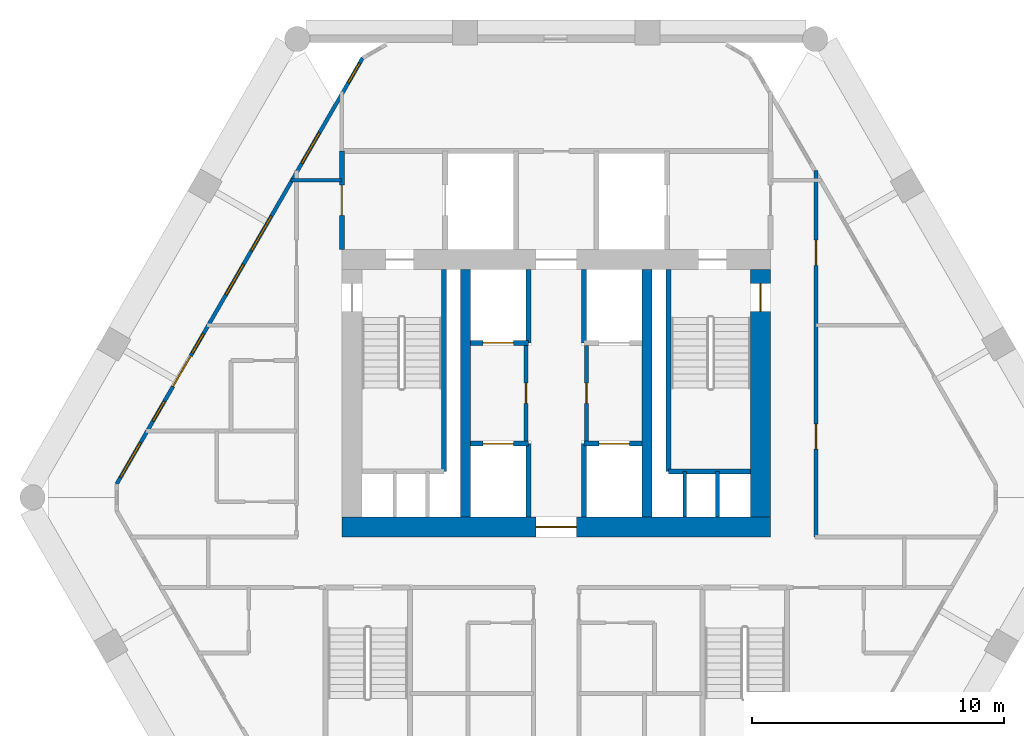
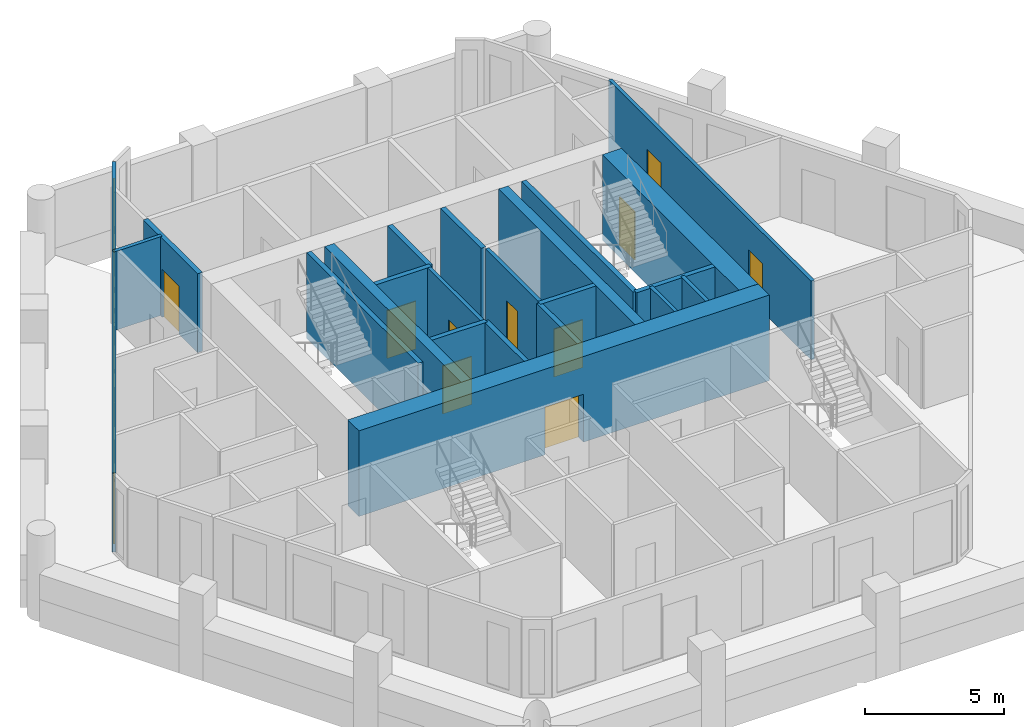
# One storey, part 4 of 7: 22 walls, 11 doors, 7 windows, 18 openings.
"""IFC4 building model written with IfcOpenShell, lengths in metres."""

from ifc_helpers import new_model, si_unit, direction, frame, frame_2d, origin, place, context, subcontext, project, spatial, rectangle, extrude, material, layer, layer_set, type_object, element, fill, save


model = new_model("IFC4")

# Units and contexts
model_context = context("Model", 3, precision=1e-05, world=origin(), true_north=direction((0.0, 1.0)))
body_context = subcontext(model_context, "Body", "Model", "MODEL_VIEW")
ifc_project = project(units=[si_unit("LENGTHUNIT", "METRE"), si_unit("AREAUNIT", "SQUARE_METRE"), si_unit("VOLUMEUNIT", "CUBIC_METRE"), si_unit("PLANEANGLEUNIT", "RADIAN"), si_unit("MASSUNIT", "GRAM", prefix="KILO")], contexts=[model_context])

# Site, building, storey
site_placement = place(None, origin())
site = spatial("IfcSite", under=ifc_project, at=site_placement, CompositionType="ELEMENT")
building_placement = place(site_placement, origin())
building = spatial("IfcBuilding", under=site, at=building_placement, Name="Ostrander Bayou Hotel Tower", CompositionType="ELEMENT")
storey_placement = place(building_placement, frame((0.0, 0.0, 160.75)))
storey = spatial("IfcBuildingStorey", under=building, at=storey_placement, Name="L39", CompositionType="ELEMENT", Elevation=160.75)

# Wall, opening, door
ifc_material_1 = material(Name="Concrete f'c 60 MPa", Category="concrete")
ifc_layer_1 = layer(ifc_material_1, 0.800048828125)
ifc_layer_set_1 = layer_set([ifc_layer_1], Name="CW7 core wall 800 mm f'c 60 MPa")
wall_type_1 = type_object("IfcWallType", Name="CW7 core wall 800 mm f'c 60 MPa", PredefinedType="SHEAR", material=ifc_layer_set_1)
wall_1_placement = place(storey_placement, frame((-8.5, -1.300048828125, -0.300048828125), z_axis=(0.0, 0.0, 1.0), x_axis=(1.0, 0.0, 0.0)))
wall_1 = element("IfcWall", 1, at=wall_1_placement, inside=storey, type_object=wall_type_1, Name="CW7 L39 S", PredefinedType="SHEAR", context=body_context, shape_type="SweptSolid", body=[
    extrude(rectangle(XDim=17.0, YDim=0.800048828125, at=frame_2d((8.5, 0.0))), origin(), (0.0, 0.0, 1.0), 3.75),
])
opening_1_placement = place(wall_1_placement, frame((7.699951171875, 0.0, 0.0)))
opening_1 = element("IfcOpeningElement", 2, at=opening_1_placement, cuts=wall_1, Name="Opening T38-005", PredefinedType="OPENING", context=body_context, shape_type="SweptSolid", body=[
    extrude(rectangle(XDim=1.60009765625, YDim=2.10009765625, at=frame_2d((0.800048828125, 1.050048828125))), frame((0.0, 0.39990234375, 0.0), z_axis=(0.0, -1.0, 0.0), x_axis=(1.0, 0.0, 0.0)), (0.0, 0.0, 1.0), 0.800048828125),
])
ifc_material_2 = material(Name="Timber door leaf", Category="wood")
door_type_1 = type_object("IfcDoorType", Name="D13 double door 1600 x 2100 mm, 1 hour", OperationType="SINGLE_SWING_LEFT", PredefinedType="DOOR", material=ifc_material_2)
door_1_placement = place(opening_1_placement, origin())
door_1 = element("IfcDoor", 3, at=door_1_placement, inside=storey, type_object=door_type_1, Name="dr:L39:005", OperationType="DOUBLE_DOOR_SINGLE_SWING", OverallHeight=2.10009765625, OverallWidth=1.60009765625, PredefinedType="DOOR", context=body_context, shape_type="SweptSolid", body=[
    extrude(rectangle(XDim=1.60009765625, YDim=2.10009765625, at=frame_2d((0.800048828125, 1.050048828125))), frame((0.0, 0.02490234375, 0.0), z_axis=(0.0, -1.0, 0.0), x_axis=(1.0, 0.0, 0.0)), (0.0, 0.0, 1.0), 0.050048828125),
])
fill(opening_1, door_1)

ifc_material_3 = material(Name="Concrete f'c 60 MPa", Category="concrete")
ifc_layer_2 = layer(ifc_material_3, 0.800048828125)
ifc_layer_set_2 = layer_set([ifc_layer_2], Name="CW8 core spine wall 800 mm f'c 60 MPa")
wall_type_2 = type_object("IfcWallType", Name="CW8 core spine wall 800 mm f'c 60 MPa", PredefinedType="SHEAR", material=ifc_layer_set_2)
wall_2_placement = place(storey_placement, frame((8.10009765625, -0.89990234375, -0.300048828125), z_axis=(0.0, 0.0, 1.0), x_axis=(0.0, 1.0, 0.0)))
wall_2 = element("IfcWall", 4, at=wall_2_placement, inside=storey, type_object=wall_type_2, Name="CW8 L39 E", PredefinedType="SHEAR", context=body_context, shape_type="SweptSolid", body=[
    extrude(rectangle(XDim=9.7998046875, YDim=0.800048828125, at=frame_2d((4.89990234375, 0.0))), origin(), (0.0, 0.0, 1.0), 3.75),
])
opening_2_placement = place(wall_2_placement, frame((8.14990234375, 0.0, 0.0)))
opening_2 = element("IfcOpeningElement", 5, at=opening_2_placement, cuts=wall_2, Name="Opening T38-010", PredefinedType="OPENING", context=body_context, shape_type="SweptSolid", body=[
    extrude(rectangle(XDim=1.10009765625, YDim=2.10009765625, at=frame_2d((0.550048828125, 1.050048828125))), frame((0.0, 0.39990234375, 0.0), z_axis=(0.0, -1.0, 0.0), x_axis=(1.0, 0.0, 0.0)), (0.0, 0.0, 1.0), 0.800048828125),
])
ifc_material_4 = material(Name="Timber door leaf", Category="wood")
door_type_2 = type_object("IfcDoorType", Name="D5 stair door 1100 x 2100 mm, 90 minute", OperationType="SINGLE_SWING_LEFT", PredefinedType="DOOR", material=ifc_material_4)
door_2_placement = place(opening_2_placement, origin())
door_2 = element("IfcDoor", 6, at=door_2_placement, inside=storey, type_object=door_type_2, Name="dr:L39:010", OperationType="SINGLE_SWING_LEFT", OverallHeight=2.10009765625, OverallWidth=1.10009765625, PredefinedType="DOOR", context=body_context, shape_type="SweptSolid", body=[
    extrude(rectangle(XDim=1.10009765625, YDim=2.10009765625, at=frame_2d((0.550048828125, 1.050048828125))), frame((0.0, 0.02490234375, 0.0), z_axis=(0.0, -1.0, 0.0), x_axis=(1.0, 0.0, 0.0)), (0.0, 0.0, 1.0), 0.050048828125),
])
fill(opening_2, door_2)

# Walls
ifc_material_5 = material(Name="Concrete f'c 60 MPa", Category="concrete")
ifc_layer_3 = layer(ifc_material_5, 0.39990234375)
ifc_layer_set_3 = layer_set([ifc_layer_3], Name="CW9 core bank wall 400 mm f'c 60 MPa")
wall_type_3 = type_object("IfcWallType", Name="CW9 core bank wall 400 mm f'c 60 MPa", PredefinedType="SHEAR", material=ifc_layer_set_3)
for number, where, z_axis, x_axis, name in (
    (7, (-3.60009765625, -0.89990234375, -0.300048828125), (0.0, 0.0, 1.0), (0.0, 1.0, 0.0), "CW9 L39 CW"),
    (8, (3.60009765625, -0.89990234375, -0.300048828125), (0.0, 0.0, 1.0), (0.0, 1.0, 0.0), "CW9 L39 CE"),
):
    element("IfcWall", number, at=place(storey_placement, frame(where, z_axis=z_axis, x_axis=x_axis)), inside=storey, type_object=wall_type_3, Name=name, PredefinedType="SHEAR", context=body_context, shape_type="SweptSolid", body=[
        extrude(rectangle(XDim=9.7998046875, YDim=0.39990234375, at=frame_2d((4.89990234375, 0.0))), origin(), (0.0, 0.0, 1.0), 3.75),
    ])

# Wall, openings, door, windows
ifc_material_6 = material(Name="Aluminium framed insulated wall", Category="aluminium")
ifc_layer_4 = layer(ifc_material_6, 0.14990234375)
ifc_layer_set_4 = layer_set([ifc_layer_4], Name="GW1 glass-line wall 150 mm")
wall_type_4 = type_object("IfcWallType", Name="GW1 glass-line wall 150 mm", PredefinedType="SOLIDWALL", material=ifc_layer_set_4)
wall_3_placement = place(storey_placement, frame((-7.67626953125, 17.29248046875, 0.0), z_axis=(0.0, 0.0, 1.0), x_axis=(-0.500000203029, -0.866025286565, 0.0)))
wall_3 = element("IfcWall", 9, at=wall_3_placement, inside=storey, type_object=wall_type_4, Name="GW1 L39 NW 1", PredefinedType="SOLIDWALL", context=body_context, shape_type="SweptSolid", body=[
    extrude(rectangle(XDim=19.50390625, YDim=0.14990234375, at=frame_2d((9.751953125, 0.0))), origin(), (0.0, 0.0, 1.0), 3.449951171875),
])
opening_3_placement = place(wall_3_placement, frame((3.419677734375, 0.0, 0.14990234375)))
opening_3 = element("IfcOpeningElement", 10, at=opening_3_placement, cuts=wall_3, Name="Opening W13", PredefinedType="OPENING", context=body_context, shape_type="SweptSolid", body=[
    extrude(rectangle(XDim=1.39990234375, YDim=2.85009765625, at=frame_2d((0.699951171875, 1.425048828125))), frame((0.0, 0.074951171875, 0.0), z_axis=(0.0, -1.0, 0.0), x_axis=(1.0, 0.0, 0.0)), (0.0, 0.0, 1.0), 0.14990234375),
])
opening_4_placement = place(wall_3_placement, frame((7.237548828125, 0.0, 0.14990234375)))
opening_4 = element("IfcOpeningElement", 11, at=opening_4_placement, cuts=wall_3, Name="Opening W3", PredefinedType="OPENING", context=body_context, shape_type="SweptSolid", body=[
    extrude(rectangle(XDim=1.60009765625, YDim=2.85009765625, at=frame_2d((0.800048828125, 1.425048828125))), frame((0.0, 0.074951171875, 0.0), z_axis=(0.0, -1.0, 0.0), x_axis=(1.0, 0.0, 0.0)), (0.0, 0.0, 1.0), 0.14990234375),
])
opening_5_placement = place(wall_3_placement, frame((9.4375, 0.0, 0.14990234375)))
opening_5 = element("IfcOpeningElement", 12, at=opening_5_placement, cuts=wall_3, Name="Opening W13", PredefinedType="OPENING", context=body_context, shape_type="SweptSolid", body=[
    extrude(rectangle(XDim=1.39990234375, YDim=2.85009765625, at=frame_2d((0.699951171875, 1.425048828125))), frame((0.0, 0.074951171875, 0.0), z_axis=(0.0, -1.0, 0.0), x_axis=(1.0, 0.0, 0.0)), (0.0, 0.0, 1.0), 0.14990234375),
])
opening_6_placement = place(wall_3_placement, frame((12.607177734375, 0.0, 0.14990234375)))
opening_6 = element("IfcOpeningElement", 13, at=opening_6_placement, cuts=wall_3, Name="Opening W17", PredefinedType="OPENING", context=body_context, shape_type="SweptSolid", body=[
    extrude(rectangle(XDim=0.89990234375, YDim=2.85009765625, at=frame_2d((0.449951171875, 1.425048828125))), frame((0.0, 0.074951171875, 0.0), z_axis=(0.0, -1.0, 0.0), x_axis=(1.0, 0.0, 0.0)), (0.0, 0.0, 1.0), 0.14990234375),
])
opening_7_placement = place(wall_3_placement, frame((13.6376953125, 0.0, 0.0)))
opening_7 = element("IfcOpeningElement", 14, at=opening_7_placement, cuts=wall_3, Name="Opening T38-800", PredefinedType="OPENING", context=body_context, shape_type="SweptSolid", body=[
    extrude(rectangle(XDim=1.39990234375, YDim=2.39990234375, at=frame_2d((0.699951171875, 1.199951171875))), frame((0.0, 0.074951171875, 0.0), z_axis=(0.0, -1.0, 0.0), x_axis=(1.0, 0.0, 0.0)), (0.0, 0.0, 1.0), 0.14990234375),
])
opening_8_placement = place(wall_3_placement, frame((0.234619140625, 0.0, 0.14990234375)))
opening_8 = element("IfcOpeningElement", 15, at=opening_8_placement, cuts=wall_3, Name="Opening W17", PredefinedType="OPENING", context=body_context, shape_type="SweptSolid", body=[
    extrude(rectangle(XDim=0.89990234375, YDim=2.72998046875, at=frame_2d((0.449951171875, 1.364990234375))), frame((0.0, 0.074951171875, 0.0), z_axis=(0.0, -1.0, 0.0), x_axis=(1.0, 0.0, 0.0)), (0.0, 0.0, 1.0), 0.14990234375),
])
opening_9_placement = place(wall_3_placement, frame((15.722412109375, 0.0, 0.14990234375)))
opening_9 = element("IfcOpeningElement", 16, at=opening_9_placement, cuts=wall_3, Name="Opening W17", PredefinedType="OPENING", context=body_context, shape_type="SweptSolid", body=[
    extrude(rectangle(XDim=0.89990234375, YDim=2.72998046875, at=frame_2d((0.449951171875, 1.364990234375))), frame((0.0, 0.074951171875, 0.0), z_axis=(0.0, -1.0, 0.0), x_axis=(1.0, 0.0, 0.0)), (0.0, 0.0, 1.0), 0.14990234375),
])
opening_10_placement = place(wall_3_placement, frame((17.60546875, 0.0, 0.14990234375)))
opening_10 = element("IfcOpeningElement", 17, at=opening_10_placement, cuts=wall_3, Name="Opening W3", PredefinedType="OPENING", context=body_context, shape_type="SweptSolid", body=[
    extrude(rectangle(XDim=1.60009765625, YDim=2.72998046875, at=frame_2d((0.800048828125, 1.364990234375))), frame((0.0, 0.074951171875, 0.0), z_axis=(0.0, -1.0, 0.0), x_axis=(1.0, 0.0, 0.0)), (0.0, 0.0, 1.0), 0.14990234375),
])
ifc_material_7 = material(Name="Aluminium and clear glass", Category="aluminium")
door_type_3 = type_object("IfcDoorType", Name="SD3 sliding glass door 1400 mm, zone 3", OperationType="SLIDING_TO_LEFT", PredefinedType="DOOR", material=ifc_material_7)
door_3_placement = place(opening_7_placement, origin())
door_3 = element("IfcDoor", 18, at=door_3_placement, inside=storey, type_object=door_type_3, Name="SD3 L39 NW 3", OperationType="SLIDING_TO_LEFT", OverallHeight=2.39990234375, OverallWidth=1.39990234375, PredefinedType="DOOR", context=body_context, shape_type="SweptSolid", body=[
    extrude(rectangle(XDim=1.39990234375, YDim=2.39990234375, at=frame_2d((0.699951171875, 1.199951171875))), frame((0.0, 0.02490234375, 0.0), z_axis=(0.0, -1.0, 0.0), x_axis=(1.0, 0.0, 0.0)), (0.0, 0.0, 1.0), 0.050048828125),
])
fill(opening_7, door_3)
ifc_material_8 = material(Name="Aluminium and clear glass", Category="aluminium")
window_type_1 = type_object("IfcWindowType", Name="W13 fixed window 1400 mm, bath bay, zone 3", PartitioningType="SINGLE_PANEL", PredefinedType="WINDOW", material=ifc_material_8)
window_1_placement = place(opening_3_placement, origin())
window_1 = element("IfcWindow", 19, at=window_1_placement, inside=storey, type_object=window_type_1, Name="W13 L39 NW 1", OverallHeight=2.85009765625, OverallWidth=1.39990234375, PartitioningType="SINGLE_PANEL", PredefinedType="WINDOW", context=body_context, shape_type="SweptSolid", body=[
    extrude(rectangle(XDim=1.39990234375, YDim=2.85009765625, at=frame_2d((0.699951171875, 1.425048828125))), frame((0.0, 0.030029296875, 0.0), z_axis=(0.0, -1.0, 0.0), x_axis=(1.0, 0.0, 0.0)), (0.0, 0.0, 1.0), 0.06005859375),
])
fill(opening_3, window_1)
window_2_placement = place(opening_5_placement, origin())
window_2 = element("IfcWindow", 20, at=window_2_placement, inside=storey, type_object=window_type_1, Name="W13 L39 NW 2", OverallHeight=2.85009765625, OverallWidth=1.39990234375, PartitioningType="SINGLE_PANEL", PredefinedType="WINDOW", context=body_context, shape_type="SweptSolid", body=[
    extrude(rectangle(XDim=1.39990234375, YDim=2.85009765625, at=frame_2d((0.699951171875, 1.425048828125))), frame((0.0, 0.030029296875, 0.0), z_axis=(0.0, -1.0, 0.0), x_axis=(1.0, 0.0, 0.0)), (0.0, 0.0, 1.0), 0.06005859375),
])
fill(opening_5, window_2)
ifc_material_9 = material(Name="Aluminium and clear glass", Category="aluminium")
window_type_2 = type_object("IfcWindowType", Name="W17 window 900 mm, zone 3", PartitioningType="SINGLE_PANEL", PredefinedType="WINDOW", material=ifc_material_9)
window_3_placement = place(opening_6_placement, origin())
window_3 = element("IfcWindow", 21, at=window_3_placement, inside=storey, type_object=window_type_2, Name="W17 L39 NW 3", OverallHeight=2.85009765625, OverallWidth=0.89990234375, PartitioningType="SINGLE_PANEL", PredefinedType="WINDOW", context=body_context, shape_type="SweptSolid", body=[
    extrude(rectangle(XDim=0.89990234375, YDim=2.85009765625, at=frame_2d((0.449951171875, 1.425048828125))), frame((0.0, 0.030029296875, 0.0), z_axis=(0.0, -1.0, 0.0), x_axis=(1.0, 0.0, 0.0)), (0.0, 0.0, 1.0), 0.06005859375),
])
fill(opening_6, window_3)
window_4_placement = place(opening_8_placement, origin())
window_4 = element("IfcWindow", 22, at=window_4_placement, inside=storey, type_object=window_type_2, Name="W17 L39 NW E11", OverallHeight=2.72998046875, OverallWidth=0.89990234375, PartitioningType="SINGLE_PANEL", PredefinedType="WINDOW", context=body_context, shape_type="SweptSolid", body=[
    extrude(rectangle(XDim=0.89990234375, YDim=2.72998046875, at=frame_2d((0.449951171875, 1.364990234375))), frame((0.0, 0.030029296875, 0.0), z_axis=(0.0, -1.0, 0.0), x_axis=(1.0, 0.0, 0.0)), (0.0, 0.0, 1.0), 0.06005859375),
])
fill(opening_8, window_4)
window_5_placement = place(opening_9_placement, origin())
window_5 = element("IfcWindow", 23, at=window_5_placement, inside=storey, type_object=window_type_2, Name="W17 L39 NW E21", OverallHeight=2.72998046875, OverallWidth=0.89990234375, PartitioningType="SINGLE_PANEL", PredefinedType="WINDOW", context=body_context, shape_type="SweptSolid", body=[
    extrude(rectangle(XDim=0.89990234375, YDim=2.72998046875, at=frame_2d((0.449951171875, 1.364990234375))), frame((0.0, 0.030029296875, 0.0), z_axis=(0.0, -1.0, 0.0), x_axis=(1.0, 0.0, 0.0)), (0.0, 0.0, 1.0), 0.06005859375),
])
fill(opening_9, window_5)
ifc_material_10 = material(Name="Aluminium and clear glass", Category="aluminium")
window_type_3 = type_object("IfcWindowType", Name="W3 fixed window 1600 mm, zone 3", PartitioningType="SINGLE_PANEL", PredefinedType="WINDOW", material=ifc_material_10)
window_6_placement = place(opening_4_placement, origin())
window_6 = element("IfcWindow", 24, at=window_6_placement, inside=storey, type_object=window_type_3, Name="W3 L39 NW 2", OverallHeight=2.85009765625, OverallWidth=1.60009765625, PartitioningType="SINGLE_PANEL", PredefinedType="WINDOW", context=body_context, shape_type="SweptSolid", body=[
    extrude(rectangle(XDim=1.60009765625, YDim=2.85009765625, at=frame_2d((0.800048828125, 1.425048828125))), frame((0.0, 0.030029296875, 0.0), z_axis=(0.0, -1.0, 0.0), x_axis=(1.0, 0.0, 0.0)), (0.0, 0.0, 1.0), 0.06005859375),
])
fill(opening_4, window_6)
window_7_placement = place(opening_10_placement, origin())
window_7 = element("IfcWindow", 25, at=window_7_placement, inside=storey, type_object=window_type_3, Name="W3 L39 NW E22", OverallHeight=2.72998046875, OverallWidth=1.60009765625, PartitioningType="SINGLE_PANEL", PredefinedType="WINDOW", context=body_context, shape_type="SweptSolid", body=[
    extrude(rectangle(XDim=1.60009765625, YDim=2.72998046875, at=frame_2d((0.800048828125, 1.364990234375))), frame((0.0, 0.030029296875, 0.0), z_axis=(0.0, -1.0, 0.0), x_axis=(1.0, 0.0, 0.0)), (0.0, 0.0, 1.0), 0.06005859375),
])
fill(opening_10, window_7)

# Wall, opening, door
ifc_material_11 = material(Name="Masonry block", Category="masonry")
ifc_layer_5 = layer(ifc_material_11, 0.199951171875)
ifc_layer_set_5 = layer_set([ifc_layer_5], Name="PT5 stair enclosure wall 200 mm masonry, 2 hour")
wall_type_5 = type_object("IfcWallType", Name="PT5 stair enclosure wall 200 mm masonry, 2 hour", PredefinedType="PARTITIONING", material=ifc_layer_set_5)
wall_4_placement = place(storey_placement, frame((-8.5, 9.699951171875, 0.0), z_axis=(0.0, 0.0, 1.0), x_axis=(0.0, 1.0, 0.0)))
wall_4 = element("IfcWall", 26, at=wall_4_placement, inside=storey, type_object=wall_type_5, Name="cs:L39:028", PredefinedType="PARTITIONING", context=body_context, shape_type="SweptSolid", body=[
    extrude(rectangle(XDim=3.900146484375, YDim=0.199951171875, at=frame_2d((1.9501953125, 0.0))), origin(), (0.0, 0.0, 1.0), 3.449951171875),
])
opening_11_placement = place(wall_4_placement, frame((1.35009765625, 0.0, 0.0)))
opening_11 = element("IfcOpeningElement", 27, at=opening_11_placement, cuts=wall_4, Name="Opening T38-014", PredefinedType="OPENING", context=body_context, shape_type="SweptSolid", body=[
    extrude(rectangle(XDim=1.199951171875, YDim=2.10009765625, at=frame_2d((0.60009765625, 1.050048828125))), frame((0.0, 0.10009765625, 0.0), z_axis=(0.0, -1.0, 0.0), x_axis=(1.0, 0.0, 0.0)), (0.0, 0.0, 1.0), 0.199951171875),
])
ifc_material_12 = material(Name="Timber door leaf", Category="wood")
door_type_4 = type_object("IfcDoorType", Name="D7 lobby door 1200 x 2100 mm, 1 hour", OperationType="SINGLE_SWING_LEFT", PredefinedType="DOOR", material=ifc_material_12)
door_4_placement = place(opening_11_placement, origin())
door_4 = element("IfcDoor", 28, at=door_4_placement, inside=storey, type_object=door_type_4, Name="dr:L39:014", OperationType="SINGLE_SWING_LEFT", OverallHeight=2.10009765625, OverallWidth=1.199951171875, PredefinedType="DOOR", context=body_context, shape_type="SweptSolid", body=[
    extrude(rectangle(XDim=1.199951171875, YDim=2.10009765625, at=frame_2d((0.60009765625, 1.050048828125))), frame((0.0, 0.02490234375, 0.0), z_axis=(0.0, -1.0, 0.0), x_axis=(1.0, 0.0, 0.0)), (0.0, 0.0, 1.0), 0.050048828125),
])
fill(opening_11, door_4)

ifc_material_13 = material(Name="Masonry block", Category="masonry")
ifc_layer_6 = layer(ifc_material_13, 0.199951171875)
ifc_layer_set_6 = layer_set([ifc_layer_6], Name="PT6 lift shaft wall 200 mm masonry, 2 hour")
wall_type_6 = type_object("IfcWallType", Name="PT6 lift shaft wall 200 mm masonry, 2 hour", PredefinedType="PARTITIONING", material=ifc_layer_set_6)
wall_5_placement = place(storey_placement, frame((-3.39990234375, 2.0, 0.0), z_axis=(0.0, 0.0, 1.0), x_axis=(1.0, 0.0, 0.0)))
wall_5 = element("IfcWall", 29, at=wall_5_placement, inside=storey, type_object=wall_type_6, Name="cs:L39:001", PredefinedType="PARTITIONING", context=body_context, shape_type="SweptSolid", body=[
    extrude(rectangle(XDim=2.2998046875, YDim=0.199951171875, at=frame_2d((1.14990234375, 0.0))), origin(), (0.0, 0.0, 1.0), 3.449951171875),
])
opening_12_placement = place(wall_5_placement, frame((0.5, 0.0, 0.0)))
opening_12 = element("IfcOpeningElement", 30, at=opening_12_placement, cuts=wall_5, Name="Opening T38-001", PredefinedType="OPENING", context=body_context, shape_type="SweptSolid", body=[
    extrude(rectangle(XDim=1.199951171875, YDim=2.10009765625, at=frame_2d((0.60009765625, 1.050048828125))), frame((0.0, 0.10009765625, 0.0), z_axis=(0.0, -1.0, 0.0), x_axis=(1.0, 0.0, 0.0)), (0.0, 0.0, 1.0), 0.199951171875),
])
ifc_material_14 = material(Name="Stainless steel sliding door", Category="steel")
door_type_5 = type_object("IfcDoorType", Name="LD1 lift landing door 1200 x 2100 mm", OperationType="SINGLE_SWING_LEFT", PredefinedType="DOOR", material=ifc_material_14)
door_5_placement = place(opening_12_placement, origin())
door_5 = element("IfcDoor", 31, at=door_5_placement, inside=storey, type_object=door_type_5, Name="dr:L39:001", OperationType="SLIDING_TO_LEFT", OverallHeight=2.10009765625, OverallWidth=1.199951171875, PredefinedType="DOOR", context=body_context, shape_type="SweptSolid", body=[
    extrude(rectangle(XDim=1.199951171875, YDim=2.10009765625, at=frame_2d((0.60009765625, 1.050048828125))), frame((0.0, 0.02490234375, 0.0), z_axis=(0.0, -1.0, 0.0), x_axis=(1.0, 0.0, 0.0)), (0.0, 0.0, 1.0), 0.050048828125),
])
fill(opening_12, door_5)

wall_6_placement = place(storey_placement, frame((-3.39990234375, 6.0, 0.0), z_axis=(0.0, 0.0, 1.0), x_axis=(1.0, 0.0, 0.0)))
wall_6 = element("IfcWall", 32, at=wall_6_placement, inside=storey, type_object=wall_type_6, Name="cs:L39:002", PredefinedType="PARTITIONING", context=body_context, shape_type="SweptSolid", body=[
    extrude(rectangle(XDim=2.2998046875, YDim=0.199951171875, at=frame_2d((1.14990234375, 0.0))), origin(), (0.0, 0.0, 1.0), 3.449951171875),
])
opening_13_placement = place(wall_6_placement, frame((0.5, 0.0, 0.0)))
opening_13 = element("IfcOpeningElement", 33, at=opening_13_placement, cuts=wall_6, Name="Opening T38-003", PredefinedType="OPENING", context=body_context, shape_type="SweptSolid", body=[
    extrude(rectangle(XDim=1.199951171875, YDim=2.10009765625, at=frame_2d((0.60009765625, 1.050048828125))), frame((0.0, 0.10009765625, 0.0), z_axis=(0.0, -1.0, 0.0), x_axis=(1.0, 0.0, 0.0)), (0.0, 0.0, 1.0), 0.199951171875),
])
door_6_placement = place(opening_13_placement, origin())
door_6 = element("IfcDoor", 34, at=door_6_placement, inside=storey, type_object=door_type_5, Name="dr:L39:003", OperationType="SLIDING_TO_LEFT", OverallHeight=2.10009765625, OverallWidth=1.199951171875, PredefinedType="DOOR", context=body_context, shape_type="SweptSolid", body=[
    extrude(rectangle(XDim=1.199951171875, YDim=2.10009765625, at=frame_2d((0.60009765625, 1.050048828125))), frame((0.0, 0.02490234375, 0.0), z_axis=(0.0, -1.0, 0.0), x_axis=(1.0, 0.0, 0.0)), (0.0, 0.0, 1.0), 0.050048828125),
])
fill(opening_13, door_6)

wall_7_placement = place(storey_placement, frame((1.10009765625, 2.0, 0.0), z_axis=(0.0, 0.0, 1.0), x_axis=(1.0, 0.0, 0.0)))
wall_7 = element("IfcWall", 35, at=wall_7_placement, inside=storey, type_object=wall_type_6, Name="cs:L39:003", PredefinedType="PARTITIONING", context=body_context, shape_type="SweptSolid", body=[
    extrude(rectangle(XDim=2.2998046875, YDim=0.199951171875, at=frame_2d((1.14990234375, 0.0))), origin(), (0.0, 0.0, 1.0), 3.449951171875),
])
opening_14_placement = place(wall_7_placement, frame((0.60009765625, 0.0, 0.0)))
opening_14 = element("IfcOpeningElement", 36, at=opening_14_placement, cuts=wall_7, Name="Opening T38-002", PredefinedType="OPENING", context=body_context, shape_type="SweptSolid", body=[
    extrude(rectangle(XDim=1.199951171875, YDim=2.10009765625, at=frame_2d((0.60009765625, 1.050048828125))), frame((0.0, 0.10009765625, 0.0), z_axis=(0.0, -1.0, 0.0), x_axis=(1.0, 0.0, 0.0)), (0.0, 0.0, 1.0), 0.199951171875),
])
door_7_placement = place(opening_14_placement, origin())
door_7 = element("IfcDoor", 37, at=door_7_placement, inside=storey, type_object=door_type_5, Name="dr:L39:002", OperationType="SLIDING_TO_LEFT", OverallHeight=2.10009765625, OverallWidth=1.199951171875, PredefinedType="DOOR", context=body_context, shape_type="SweptSolid", body=[
    extrude(rectangle(XDim=1.199951171875, YDim=2.10009765625, at=frame_2d((0.60009765625, 1.050048828125))), frame((0.0, 0.02490234375, 0.0), z_axis=(0.0, -1.0, 0.0), x_axis=(1.0, 0.0, 0.0)), (0.0, 0.0, 1.0), 0.050048828125),
])
fill(opening_14, door_7)

# Walls
for number, where, z_axis, x_axis, name in (
    (38, (-1.10009765625, -0.89990234375, 0.0), (0.0, 0.0, 1.0), (0.0, 1.0, 0.0), "cs:L39:005"),
    (39, (1.10009765625, -0.89990234375, 0.0), (0.0, 0.0, 1.0), (0.0, 1.0, 0.0), "cs:L39:006"),
    (40, (-1.10009765625, 6.0, 0.0), (0.0, 0.0, 1.0), (0.0, 1.0, 0.0), "cs:L39:007"),
    (41, (1.10009765625, 6.0, 0.0), (0.0, 0.0, 1.0), (0.0, 1.0, 0.0), "cs:L39:008"),
):
    element("IfcWall", number, at=place(storey_placement, frame(where, z_axis=z_axis, x_axis=x_axis)), inside=storey, type_object=wall_type_6, Name=name, PredefinedType="PARTITIONING", context=body_context, shape_type="SweptSolid", body=[
        extrude(rectangle(XDim=2.89990234375, YDim=0.199951171875, at=frame_2d((1.449951171875, 0.0))), origin(), (0.0, 0.0, 1.0), 3.449951171875),
    ])
ifc_material_15 = material(Name="Gypsum board partition", Category="finish")
ifc_layer_7 = layer(ifc_material_15, 0.14990234375)
ifc_layer_set_7 = layer_set([ifc_layer_7], Name="PT7 riser wall 150 mm, 2 hour")
wall_type_7 = type_object("IfcWallType", Name="PT7 riser wall 150 mm, 2 hour", PredefinedType="PARTITIONING", material=ifc_layer_set_7)
for number, where, z_axis, x_axis, name in (
    (42, (5.10009765625, -0.89990234375, 0.0), (0.0, 0.0, 1.0), (0.0, 1.0, 0.0), "cs:L39:015"),
    (43, (6.39990234375, -0.89990234375, 0.0), (0.0, 0.0, 1.0), (0.0, 1.0, 0.0), "cs:L39:016"),
):
    element("IfcWall", number, at=place(storey_placement, frame(where, z_axis=z_axis, x_axis=x_axis)), inside=storey, type_object=wall_type_7, Name=name, PredefinedType="PARTITIONING", context=body_context, shape_type="SweptSolid", body=[
        extrude(rectangle(XDim=1.7998046875, YDim=0.14990234375, at=frame_2d((0.89990234375, 0.0))), origin(), (0.0, 0.0, 1.0), 3.449951171875),
    ])

# Wall, opening, door
wall_8_placement = place(storey_placement, frame((-1.199951171875, 2.10009765625, 0.0), z_axis=(0.0, 0.0, 1.0), x_axis=(0.0, 1.0, 0.0)))
wall_8 = element("IfcWall", 44, at=wall_8_placement, inside=storey, type_object=wall_type_7, Name="cs:L39:034", PredefinedType="PARTITIONING", context=body_context, shape_type="SweptSolid", body=[
    extrude(rectangle(XDim=3.7998046875, YDim=0.14990234375, at=frame_2d((1.89990234375, 0.0))), origin(), (0.0, 0.0, 1.0), 3.449951171875),
])
opening_15_placement = place(wall_8_placement, frame((1.5, 0.0, 0.0)))
opening_15 = element("IfcOpeningElement", 45, at=opening_15_placement, cuts=wall_8, Name="Opening T38-018", PredefinedType="OPENING", context=body_context, shape_type="SweptSolid", body=[
    extrude(rectangle(XDim=0.800048828125, YDim=2.10009765625, at=frame_2d((0.39990234375, 1.050048828125))), frame((0.0, 0.074951171875, 0.0), z_axis=(0.0, -1.0, 0.0), x_axis=(1.0, 0.0, 0.0)), (0.0, 0.0, 1.0), 0.14990234375),
])
ifc_material_16 = material(Name="Timber door leaf", Category="wood")
door_type_6 = type_object("IfcDoorType", Name="D6 riser door 800 x 2100 mm, 90 minute", OperationType="SINGLE_SWING_LEFT", PredefinedType="DOOR", material=ifc_material_16)
door_8_placement = place(opening_15_placement, origin())
door_8 = element("IfcDoor", 46, at=door_8_placement, inside=storey, type_object=door_type_6, Name="dr:L39:018", OperationType="SINGLE_SWING_LEFT", OverallHeight=2.10009765625, OverallWidth=0.800048828125, PredefinedType="DOOR", context=body_context, shape_type="SweptSolid", body=[
    extrude(rectangle(XDim=0.800048828125, YDim=2.10009765625, at=frame_2d((0.39990234375, 1.050048828125))), frame((0.0, 0.02490234375, 0.0), z_axis=(0.0, -1.0, 0.0), x_axis=(1.0, 0.0, 0.0)), (0.0, 0.0, 1.0), 0.050048828125),
])
fill(opening_15, door_8)

wall_9_placement = place(storey_placement, frame((1.199951171875, 2.10009765625, 0.0), z_axis=(0.0, 0.0, 1.0), x_axis=(0.0, 1.0, 0.0)))
wall_9 = element("IfcWall", 47, at=wall_9_placement, inside=storey, type_object=wall_type_7, Name="cs:L39:035", PredefinedType="PARTITIONING", context=body_context, shape_type="SweptSolid", body=[
    extrude(rectangle(XDim=3.7998046875, YDim=0.14990234375, at=frame_2d((1.89990234375, 0.0))), origin(), (0.0, 0.0, 1.0), 3.449951171875),
])
opening_16_placement = place(wall_9_placement, frame((1.5, 0.0, 0.0)))
opening_16 = element("IfcOpeningElement", 48, at=opening_16_placement, cuts=wall_9, Name="Opening T38-019", PredefinedType="OPENING", context=body_context, shape_type="SweptSolid", body=[
    extrude(rectangle(XDim=0.800048828125, YDim=2.10009765625, at=frame_2d((0.39990234375, 1.050048828125))), frame((0.0, 0.074951171875, 0.0), z_axis=(0.0, -1.0, 0.0), x_axis=(1.0, 0.0, 0.0)), (0.0, 0.0, 1.0), 0.14990234375),
])
door_9_placement = place(opening_16_placement, origin())
door_9 = element("IfcDoor", 49, at=door_9_placement, inside=storey, type_object=door_type_6, Name="dr:L39:019", OperationType="SINGLE_SWING_RIGHT", OverallHeight=2.10009765625, OverallWidth=0.800048828125, PredefinedType="DOOR", context=body_context, shape_type="SweptSolid", body=[
    extrude(rectangle(XDim=0.800048828125, YDim=2.10009765625, at=frame_2d((0.39990234375, 1.050048828125))), frame((0.0, 0.02490234375, 0.0), z_axis=(0.0, -1.0, 0.0), x_axis=(1.0, 0.0, 0.0)), (0.0, 0.0, 1.0), 0.050048828125),
])
fill(opening_16, door_9)

# Wall
ifc_material_17 = material(Name="Gypsum board partition", Category="finish")
ifc_layer_8 = layer(ifc_material_17, 0.14990234375)
ifc_layer_set_8 = layer_set([ifc_layer_8], Name="PT8 service band wall 150 mm, 1 hour")
wall_type_8 = type_object("IfcWallType", Name="PT8 service band wall 150 mm, 1 hour", PredefinedType="PARTITIONING", material=ifc_layer_set_8)
wall_10_placement = place(storey_placement, frame((-10.52392578125, 12.449951171875, 0.0), z_axis=(0.0, 0.0, 1.0), x_axis=(1.0, 0.0, 0.0)))
element("IfcWall", 50, at=wall_10_placement, inside=storey, type_object=wall_type_8, Name="gw:L39:021", PredefinedType="PARTITIONING", context=body_context, shape_type="SweptSolid", body=[
    extrude(rectangle(XDim=2.013916015625, YDim=0.14990234375, at=frame_2d((1.0068359375, 0.0))), origin(), (0.0, 0.0, 1.0), 3.449951171875),
])

# Wall, openings, doors
wall_11_placement = place(storey_placement, frame((10.300048828125, -1.699951171875, 0.0), z_axis=(0.0, 0.0, 1.0), x_axis=(0.0, 1.0, 0.0)))
wall_11 = element("IfcWall", 51, at=wall_11_placement, inside=storey, type_object=wall_type_8, Name="gw:L39:025", PredefinedType="PARTITIONING", context=body_context, shape_type="SweptSolid", body=[
    extrude(rectangle(XDim=14.537841796875, YDim=0.14990234375, at=frame_2d((7.26904296875, 0.0))), origin(), (0.0, 0.0, 1.0), 3.449951171875),
])
opening_17_placement = place(wall_11_placement, frame((3.48291015625, 0.0, 0.0)))
opening_17 = element("IfcOpeningElement", 52, at=opening_17_placement, cuts=wall_11, Name="Opening T38-417", PredefinedType="OPENING", context=body_context, shape_type="SweptSolid", body=[
    extrude(rectangle(XDim=1.0, YDim=2.10009765625, at=frame_2d((0.5, 1.050048828125))), frame((0.0, 0.074951171875, 0.0), z_axis=(0.0, -1.0, 0.0), x_axis=(1.0, 0.0, 0.0)), (0.0, 0.0, 1.0), 0.14990234375),
])
opening_18_placement = place(wall_11_placement, frame((10.77490234375, 0.0, 0.0)))
opening_18 = element("IfcOpeningElement", 53, at=opening_18_placement, cuts=wall_11, Name="Opening T38-418", PredefinedType="OPENING", context=body_context, shape_type="SweptSolid", body=[
    extrude(rectangle(XDim=1.0, YDim=2.10009765625, at=frame_2d((0.5, 1.050048828125))), frame((0.0, 0.074951171875, 0.0), z_axis=(0.0, -1.0, 0.0), x_axis=(1.0, 0.0, 0.0)), (0.0, 0.0, 1.0), 0.14990234375),
])
ifc_material_18 = material(Name="Timber door leaf", Category="wood")
door_type_7 = type_object("IfcDoorType", Name="D15 room door 1000 x 2100 mm", OperationType="SINGLE_SWING_LEFT", PredefinedType="DOOR", material=ifc_material_18)
door_10_placement = place(opening_17_placement, origin())
door_10 = element("IfcDoor", 54, at=door_10_placement, inside=storey, type_object=door_type_7, Name="dr:L39:417", OperationType="SINGLE_SWING_LEFT", OverallHeight=2.10009765625, OverallWidth=1.0, PredefinedType="DOOR", context=body_context, shape_type="SweptSolid", body=[
    extrude(rectangle(XDim=1.0, YDim=2.10009765625, at=frame_2d((0.5, 1.050048828125))), frame((0.0, 0.02490234375, 0.0), z_axis=(0.0, -1.0, 0.0), x_axis=(1.0, 0.0, 0.0)), (0.0, 0.0, 1.0), 0.050048828125),
])
fill(opening_17, door_10)
ifc_material_19 = material(Name="Timber door leaf", Category="wood")
door_type_8 = type_object("IfcDoorType", Name="D9 service door 1000 x 2100 mm, 30 minute", OperationType="SINGLE_SWING_LEFT", PredefinedType="DOOR", material=ifc_material_19)
door_11_placement = place(opening_18_placement, origin())
door_11 = element("IfcDoor", 55, at=door_11_placement, inside=storey, type_object=door_type_8, Name="dr:L39:418", OperationType="SINGLE_SWING_LEFT", OverallHeight=2.10009765625, OverallWidth=1.0, PredefinedType="DOOR", context=body_context, shape_type="SweptSolid", body=[
    extrude(rectangle(XDim=1.0, YDim=2.10009765625, at=frame_2d((0.5, 1.050048828125))), frame((0.0, 0.02490234375, 0.0), z_axis=(0.0, -1.0, 0.0), x_axis=(1.0, 0.0, 0.0)), (0.0, 0.0, 1.0), 0.050048828125),
])
fill(opening_18, door_11)

# Walls
ifc_material_20 = material(Name="Concrete f'c 45 MPa", Category="concrete")
ifc_layer_9 = layer(ifc_material_20, 0.199951171875)
ifc_layer_set_9 = layer_set([ifc_layer_9], Name="SW5 stair enclosure wall 200 mm f'c 45 MPa")
wall_type_9 = type_object("IfcWallType", Name="SW5 stair enclosure wall 200 mm f'c 45 MPa", PredefinedType="SOLIDWALL", material=ifc_layer_set_9)
for number, where, z_axis, x_axis, name in (
    (56, (-4.449951171875, 0.89990234375, -0.300048828125), (0.0, 0.0, 1.0), (0.0, 1.0, 0.0), "cs:L39:009"),
    (57, (4.449951171875, 0.89990234375, -0.300048828125), (0.0, 0.0, 1.0), (0.0, 1.0, 0.0), "cs:L39:013"),
):
    element("IfcWall", number, at=place(storey_placement, frame(where, z_axis=z_axis, x_axis=x_axis)), inside=storey, type_object=wall_type_9, Name=name, PredefinedType="SOLIDWALL", context=body_context, shape_type="SweptSolid", body=[
        extrude(rectangle(XDim=8.0, YDim=0.199951171875, at=frame_2d((4.0, 0.0))), origin(), (0.0, 0.0, 1.0), 3.75),
    ])
wall_12_placement = place(storey_placement, frame((4.449951171875, 0.89990234375, -0.300048828125), z_axis=(0.0, 0.0, 1.0), x_axis=(1.0, 0.0, 0.0)))
element("IfcWall", 58, at=wall_12_placement, inside=storey, type_object=wall_type_9, Name="cs:L39:014", PredefinedType="SOLIDWALL", context=body_context, shape_type="SweptSolid", body=[
    extrude(rectangle(XDim=3.25, YDim=0.199951171875, at=frame_2d((1.625, 0.0))), origin(), (0.0, 0.0, 1.0), 3.75),
])

save(model, "model.ifc")
